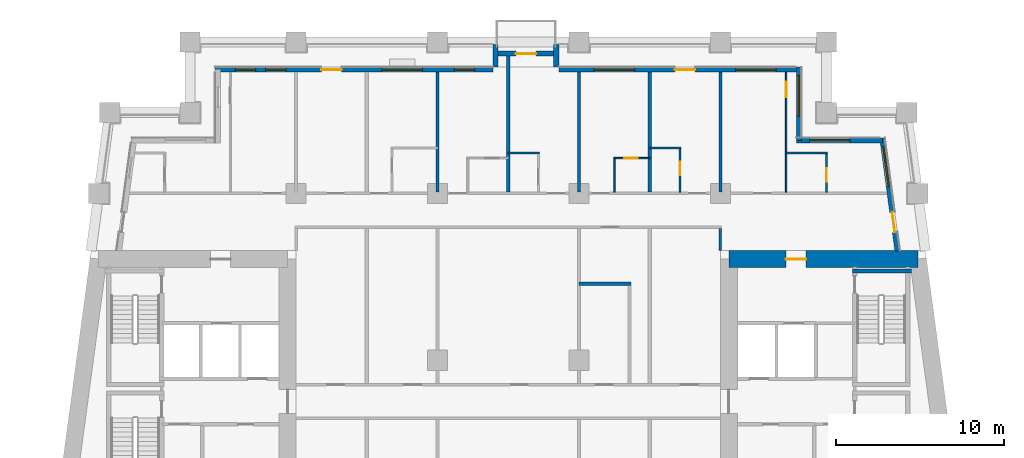
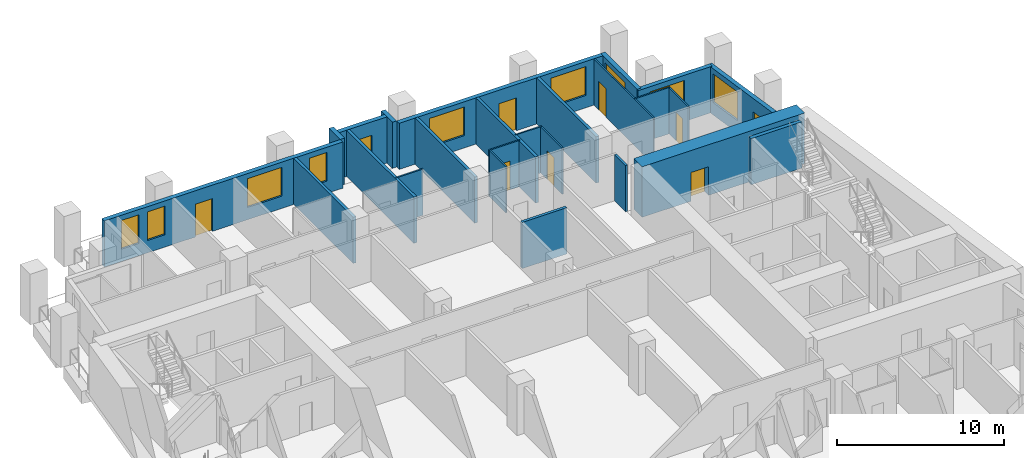
# One storey, part 8 of 14: 25 walls, 9 doors, 9 windows, 18 openings.
"""IFC4 building model written with IfcOpenShell, lengths in metres."""

from ifc_helpers import new_model, si_unit, direction, frame, frame_2d, origin, place, context, subcontext, project, spatial, rectangle, extrude, material, layer, layer_set, type_object, element, fill, save


model = new_model("IFC4")

# Units and contexts
model_context = context("Model", 3, precision=1e-05, world=origin(), true_north=direction((0.0, 1.0)))
body_context = subcontext(model_context, "Body", "Model", "MODEL_VIEW")
ifc_project = project(units=[si_unit("LENGTHUNIT", "METRE"), si_unit("AREAUNIT", "SQUARE_METRE"), si_unit("VOLUMEUNIT", "CUBIC_METRE"), si_unit("PLANEANGLEUNIT", "RADIAN"), si_unit("MASSUNIT", "GRAM", prefix="KILO")], contexts=[model_context])

# Site, building, storey
site_placement = place(None, origin())
site = spatial("IfcSite", under=ifc_project, at=site_placement, CompositionType="ELEMENT")
building_placement = place(site_placement, origin())
building = spatial("IfcBuilding", under=site, at=building_placement, Name="Candeia Pilgrim Tower and Theatre", CompositionType="ELEMENT")
storey_placement = place(building_placement, frame((0.0, 0.0, 116.89990234375)))
storey = spatial("IfcBuildingStorey", under=building, at=storey_placement, Name="L27", CompositionType="ELEMENT", Elevation=116.89990234375)

# Wall, opening, door
ifc_material_1 = material(Name="Concrete C70/85", Category="concrete")
ifc_layer_1 = layer(ifc_material_1, 1.0)
ifc_layer_set_1 = layer_set([ifc_layer_1], Name="Core wall 1000 C70/85")
wall_type_1 = type_object("IfcWallType", Name="Core wall 1000 C70/85", PredefinedType="SHEAR", material=ifc_layer_set_1)
wall_1_placement = place(storey_placement, frame((126.5, 131.89990234375, 0.0), z_axis=(0.0, 0.0, 1.0), x_axis=(1.0, 0.0, 0.0)))
wall_1 = element("IfcWall", 1, at=wall_1_placement, inside=storey, type_object=wall_type_1, Name="Core wall E1", PredefinedType="SHEAR", context=body_context, shape_type="SweptSolid", body=[
    extrude(rectangle(XDim=11.23193359375, YDim=1.0, at=frame_2d((5.615966796875, 0.0))), origin(), (0.0, 0.0, 1.0), 3.7001953125),
])
opening_1_placement = place(wall_1_placement, frame((3.386474609375, 0.0, 0.0)))
opening_1 = element("IfcOpeningElement", 2, at=opening_1_placement, cuts=wall_1, Name="Opening L27-D070", PredefinedType="OPENING", context=body_context, shape_type="SweptSolid", body=[
    extrude(rectangle(XDim=1.199951171875, YDim=2.10009765625, at=frame_2d((0.60009765625, 1.050048828125))), frame((0.0, 0.510009765625, 0.0), z_axis=(0.0, -1.0, 0.0), x_axis=(1.0, 0.0, 0.0)), (0.0, 0.0, 1.0), 1.02001953125),
])
ifc_material_2 = material(Name="Steel fire door set", Category="steel")
door_type_1 = type_object("IfcDoorType", Name="D-1200-FD60", OperationType="NOTDEFINED", PredefinedType="DOOR", material=ifc_material_2)
door_1_placement = place(opening_1_placement, origin())
door_1 = element("IfcDoor", 3, at=door_1_placement, inside=storey, type_object=door_type_1, Name="Door L27-D070", OperationType="SINGLE_SWING_LEFT", OverallHeight=2.10009765625, OverallWidth=1.199951171875, PredefinedType="DOOR", context=body_context, shape_type="SweptSolid", body=[
    extrude(rectangle(XDim=1.199951171875, YDim=2.10009765625, at=frame_2d((0.60009765625, 1.050048828125))), frame((0.0, 0.02490234375, 0.0), z_axis=(0.0, -1.0, 0.0), x_axis=(1.0, 0.0, 0.0)), (0.0, 0.0, 1.0), 0.050048828125),
])
fill(opening_1, door_1)

# Wall, openings, door, window
ifc_material_3 = material(Name="Ceramic block masonry", Category="masonry")
ifc_layer_2 = layer(ifc_material_3, 0.300048828125)
ifc_layer_set_2 = layer_set([ifc_layer_2], Name="EW1 glazing-line wall 300")
wall_type_2 = type_object("IfcWallType", Name="EW1 glazing-line wall 300", PredefinedType="SOLIDWALL", material=ifc_layer_set_2)
wall_2_placement = place(storey_placement, frame((136.50439453125, 132.39990234375, 0.0), z_axis=(0.0, 0.0, 1.0), x_axis=(-0.133399697462, 0.99106231929, 0.0)))
wall_2 = element("IfcWall", 4, at=wall_2_placement, inside=storey, type_object=wall_type_2, Name="External wall L27-3.1", PredefinedType="SOLIDWALL", context=body_context, shape_type="SweptSolid", body=[
    extrude(rectangle(XDim=6.740478515625, YDim=0.300048828125, at=frame_2d((3.3701171875, 0.0))), origin(), (0.0, 0.0, 1.0), 3.380126953125),
])
opening_2_placement = place(wall_2_placement, frame((1.115234375, 0.0, 0.0)))
opening_2 = element("IfcOpeningElement", 5, at=opening_2_placement, cuts=wall_2, Name="Opening L27-ED274", PredefinedType="OPENING", context=body_context, shape_type="SweptSolid", body=[
    extrude(rectangle(XDim=1.199951171875, YDim=2.39990234375, at=frame_2d((0.60009765625, 1.199951171875))), frame((0.0, 0.16015625, 0.0), z_axis=(0.0, -1.0, 0.0), x_axis=(1.0, 0.0, 0.0)), (0.0, 0.0, 1.0), 0.320068359375),
])
opening_3_placement = place(wall_2_placement, frame((3.83544921875, 0.0, 0.89990234375)))
opening_3 = element("IfcOpeningElement", 6, at=opening_3_placement, cuts=wall_2, Name="Opening W-A", PredefinedType="OPENING", context=body_context, shape_type="SweptSolid", body=[
    extrude(rectangle(XDim=2.39990234375, YDim=2.10009765625, at=frame_2d((1.199951171875, 1.050048828125))), frame((0.0, 0.16015625, 0.0), z_axis=(0.0, -1.0, 0.0), x_axis=(1.0, 0.0, 0.0)), (0.0, 0.0, 1.0), 0.320068359375),
])
ifc_material_4 = material(Name="Aluminium framed glazed door", Category="aluminium")
door_type_2 = type_object("IfcDoorType", Name="Loggia door 1200x2400", OperationType="DOUBLE_DOOR_SINGLE_SWING", PredefinedType="DOOR", material=ifc_material_4)
door_2_placement = place(opening_2_placement, origin())
door_2 = element("IfcDoor", 7, at=door_2_placement, inside=storey, type_object=door_type_2, Name="Loggia door L27-ED274", OperationType="DOUBLE_DOOR_SINGLE_SWING", OverallHeight=2.39990234375, OverallWidth=1.199951171875, PredefinedType="DOOR", context=body_context, shape_type="SweptSolid", body=[
    extrude(rectangle(XDim=1.199951171875, YDim=2.39990234375, at=frame_2d((0.60009765625, 1.199951171875))), frame((0.0, 0.02490234375, 0.0), z_axis=(0.0, -1.0, 0.0), x_axis=(1.0, 0.0, 0.0)), (0.0, 0.0, 1.0), 0.050048828125),
])
fill(opening_2, door_2)
ifc_material_5 = material(Name="Aluminium framed double glazing", Category="aluminium")
window_type_1 = type_object("IfcWindowType", Name="W-A window 2400x2100", PartitioningType="DOUBLE_PANEL_VERTICAL", PredefinedType="WINDOW", material=ifc_material_5)
window_1_placement = place(opening_3_placement, origin())
window_1 = element("IfcWindow", 8, at=window_1_placement, inside=storey, type_object=window_type_1, Name="Window W-A L27", OverallHeight=2.10009765625, OverallWidth=2.39990234375, PartitioningType="SINGLE_PANEL", PredefinedType="WINDOW", context=body_context, shape_type="SweptSolid", body=[
    extrude(rectangle(XDim=2.39990234375, YDim=2.10009765625, at=frame_2d((1.199951171875, 1.050048828125))), frame((0.0, 0.030029296875, 0.0), z_axis=(0.0, -1.0, 0.0), x_axis=(1.0, 0.0, 0.0)), (0.0, 0.0, 1.0), 0.06005859375),
])
fill(opening_3, window_1)

# Wall, opening, window
wall_3_placement = place(storey_placement, frame((135.62255859375, 138.949951171875, 0.0), z_axis=(0.0, 0.0, 1.0), x_axis=(-1.0, 0.0, 0.0)))
wall_3 = element("IfcWall", 9, at=wall_3_placement, inside=storey, type_object=wall_type_2, Name="External wall L27-4.0", PredefinedType="SOLIDWALL", context=body_context, shape_type="SweptSolid", body=[
    extrude(rectangle(XDim=5.12255859375, YDim=0.300048828125, at=frame_2d((2.561279296875, 0.0))), origin(), (0.0, 0.0, 1.0), 3.380126953125),
])
opening_4_placement = place(wall_3_placement, frame((1.922607421875, 0.0, 0.89990234375)))
opening_4 = element("IfcOpeningElement", 10, at=opening_4_placement, cuts=wall_3, Name="Opening W-A", PredefinedType="OPENING", context=body_context, shape_type="SweptSolid", body=[
    extrude(rectangle(XDim=2.39990234375, YDim=2.10009765625, at=frame_2d((1.199951171875, 1.050048828125))), frame((0.0, 0.16015625, 0.0), z_axis=(0.0, -1.0, 0.0), x_axis=(1.0, 0.0, 0.0)), (0.0, 0.0, 1.0), 0.320068359375),
])
window_2_placement = place(opening_4_placement, origin())
window_2 = element("IfcWindow", 11, at=window_2_placement, inside=storey, type_object=window_type_1, Name="Window W-A L27", OverallHeight=2.10009765625, OverallWidth=2.39990234375, PartitioningType="SINGLE_PANEL", PredefinedType="WINDOW", context=body_context, shape_type="SweptSolid", body=[
    extrude(rectangle(XDim=2.39990234375, YDim=2.10009765625, at=frame_2d((1.199951171875, 1.050048828125))), frame((0.0, 0.030029296875, 0.0), z_axis=(0.0, -1.0, 0.0), x_axis=(1.0, 0.0, 0.0)), (0.0, 0.0, 1.0), 0.06005859375),
])
fill(opening_4, window_2)

wall_4_placement = place(storey_placement, frame((130.64990234375, 138.949951171875, 0.0), z_axis=(0.0, 0.0, 1.0), x_axis=(0.0, 1.0, 0.0)))
wall_4 = element("IfcWall", 12, at=wall_4_placement, inside=storey, type_object=wall_type_2, Name="External wall L27-5.0", PredefinedType="SOLIDWALL", context=body_context, shape_type="SweptSolid", body=[
    extrude(rectangle(XDim=4.35009765625, YDim=0.300048828125, at=frame_2d((2.175048828125, 0.0))), origin(), (0.0, 0.0, 1.0), 3.380126953125),
])
opening_5_placement = place(wall_4_placement, frame((1.449951171875, 0.0, 0.89990234375)))
opening_5 = element("IfcOpeningElement", 13, at=opening_5_placement, cuts=wall_4, Name="Opening W-A", PredefinedType="OPENING", context=body_context, shape_type="SweptSolid", body=[
    extrude(rectangle(XDim=2.39990234375, YDim=2.10009765625, at=frame_2d((1.199951171875, 1.050048828125))), frame((0.0, 0.16015625, 0.0), z_axis=(0.0, -1.0, 0.0), x_axis=(1.0, 0.0, 0.0)), (0.0, 0.0, 1.0), 0.320068359375),
])
window_3_placement = place(opening_5_placement, origin())
window_3 = element("IfcWindow", 14, at=window_3_placement, inside=storey, type_object=window_type_1, Name="Window W-A L27", OverallHeight=2.10009765625, OverallWidth=2.39990234375, PartitioningType="SINGLE_PANEL", PredefinedType="WINDOW", context=body_context, shape_type="SweptSolid", body=[
    extrude(rectangle(XDim=2.39990234375, YDim=2.10009765625, at=frame_2d((1.199951171875, 1.050048828125))), frame((0.0, 0.030029296875, 0.0), z_axis=(0.0, -1.0, 0.0), x_axis=(1.0, 0.0, 0.0)), (0.0, 0.0, 1.0), 0.06005859375),
])
fill(opening_5, window_3)

# Wall, openings, door, windows
wall_5_placement = place(storey_placement, frame((130.64990234375, 143.14990234375, 0.0), z_axis=(0.0, 0.0, 1.0), x_axis=(-1.0, 0.0, 0.0)))
wall_5 = element("IfcWall", 15, at=wall_5_placement, inside=storey, type_object=wall_type_2, Name="External wall L27-6.0", PredefinedType="SOLIDWALL", context=body_context, shape_type="SweptSolid", body=[
    extrude(rectangle(XDim=14.25, YDim=0.300048828125, at=frame_2d((7.125, 0.0))), origin(), (0.0, 0.0, 1.0), 3.380126953125),
])
opening_6_placement = place(wall_5_placement, frame((1.35009765625, 0.0, 0.89990234375)))
opening_6 = element("IfcOpeningElement", 16, at=opening_6_placement, cuts=wall_5, Name="Opening W-A", PredefinedType="OPENING", context=body_context, shape_type="SweptSolid", body=[
    extrude(rectangle(XDim=2.39990234375, YDim=2.10009765625, at=frame_2d((1.199951171875, 1.050048828125))), frame((0.0, 0.16015625, 0.0), z_axis=(0.0, -1.0, 0.0), x_axis=(1.0, 0.0, 0.0)), (0.0, 0.0, 1.0), 0.320068359375),
])
opening_7_placement = place(wall_5_placement, frame((6.14990234375, 0.0, 0.0)))
opening_7 = element("IfcOpeningElement", 17, at=opening_7_placement, cuts=wall_5, Name="Opening L27-ED275", PredefinedType="OPENING", context=body_context, shape_type="SweptSolid", body=[
    extrude(rectangle(XDim=1.199951171875, YDim=2.39990234375, at=frame_2d((0.60009765625, 1.199951171875))), frame((0.0, 0.16015625, 0.0), z_axis=(0.0, -1.0, 0.0), x_axis=(1.0, 0.0, 0.0)), (0.0, 0.0, 1.0), 0.320068359375),
])
opening_8_placement = place(wall_5_placement, frame((9.75, 0.0, 0.89990234375)))
opening_8 = element("IfcOpeningElement", 18, at=opening_8_placement, cuts=wall_5, Name="Opening W-A", PredefinedType="OPENING", context=body_context, shape_type="SweptSolid", body=[
    extrude(rectangle(XDim=2.39990234375, YDim=2.10009765625, at=frame_2d((1.199951171875, 1.050048828125))), frame((0.0, 0.16015625, 0.0), z_axis=(0.0, -1.0, 0.0), x_axis=(1.0, 0.0, 0.0)), (0.0, 0.0, 1.0), 0.320068359375),
])
door_3_placement = place(opening_7_placement, origin())
door_3 = element("IfcDoor", 19, at=door_3_placement, inside=storey, type_object=door_type_2, Name="Loggia door L27-ED275", OperationType="DOUBLE_DOOR_SINGLE_SWING", OverallHeight=2.39990234375, OverallWidth=1.199951171875, PredefinedType="DOOR", context=body_context, shape_type="SweptSolid", body=[
    extrude(rectangle(XDim=1.199951171875, YDim=2.39990234375, at=frame_2d((0.60009765625, 1.199951171875))), frame((0.0, 0.02490234375, 0.0), z_axis=(0.0, -1.0, 0.0), x_axis=(1.0, 0.0, 0.0)), (0.0, 0.0, 1.0), 0.050048828125),
])
fill(opening_7, door_3)
window_4_placement = place(opening_6_placement, origin())
window_4 = element("IfcWindow", 20, at=window_4_placement, inside=storey, type_object=window_type_1, Name="Window W-A L27", OverallHeight=2.10009765625, OverallWidth=2.39990234375, PartitioningType="SINGLE_PANEL", PredefinedType="WINDOW", context=body_context, shape_type="SweptSolid", body=[
    extrude(rectangle(XDim=2.39990234375, YDim=2.10009765625, at=frame_2d((1.199951171875, 1.050048828125))), frame((0.0, 0.030029296875, 0.0), z_axis=(0.0, -1.0, 0.0), x_axis=(1.0, 0.0, 0.0)), (0.0, 0.0, 1.0), 0.06005859375),
])
fill(opening_6, window_4)
window_5_placement = place(opening_8_placement, origin())
window_5 = element("IfcWindow", 21, at=window_5_placement, inside=storey, type_object=window_type_1, Name="Window W-A L27", OverallHeight=2.10009765625, OverallWidth=2.39990234375, PartitioningType="SINGLE_PANEL", PredefinedType="WINDOW", context=body_context, shape_type="SweptSolid", body=[
    extrude(rectangle(XDim=2.39990234375, YDim=2.10009765625, at=frame_2d((1.199951171875, 1.050048828125))), frame((0.0, 0.030029296875, 0.0), z_axis=(0.0, -1.0, 0.0), x_axis=(1.0, 0.0, 0.0)), (0.0, 0.0, 1.0), 0.06005859375),
])
fill(opening_8, window_5)

wall_6_placement = place(storey_placement, frame((112.5, 143.14990234375, 0.0), z_axis=(0.0, 0.0, 1.0), x_axis=(-1.0, 0.0, 0.0)))
wall_6 = element("IfcWall", 22, at=wall_6_placement, inside=storey, type_object=wall_type_2, Name="External wall L27-6.1", PredefinedType="SOLIDWALL", context=body_context, shape_type="SweptSolid", body=[
    extrude(rectangle(XDim=16.5, YDim=0.300048828125, at=frame_2d((8.25, 0.0))), origin(), (0.0, 0.0, 1.0), 3.380126953125),
])
opening_9_placement = place(wall_6_placement, frame((1.10009765625, 0.0, 0.89990234375)))
opening_9 = element("IfcOpeningElement", 23, at=opening_9_placement, cuts=wall_6, Name="Opening W-B", PredefinedType="OPENING", context=body_context, shape_type="SweptSolid", body=[
    extrude(rectangle(XDim=1.199951171875, YDim=2.10009765625, at=frame_2d((0.60009765625, 1.050048828125))), frame((0.0, 0.16015625, 0.0), z_axis=(0.0, -1.0, 0.0), x_axis=(1.0, 0.0, 0.0)), (0.0, 0.0, 1.0), 0.320068359375),
])
opening_10_placement = place(wall_6_placement, frame((4.199951171875, 0.0, 0.89990234375)))
opening_10 = element("IfcOpeningElement", 24, at=opening_10_placement, cuts=wall_6, Name="Opening W-A", PredefinedType="OPENING", context=body_context, shape_type="SweptSolid", body=[
    extrude(rectangle(XDim=2.39990234375, YDim=2.10009765625, at=frame_2d((1.199951171875, 1.050048828125))), frame((0.0, 0.16015625, 0.0), z_axis=(0.0, -1.0, 0.0), x_axis=(1.0, 0.0, 0.0)), (0.0, 0.0, 1.0), 0.320068359375),
])
opening_11_placement = place(wall_6_placement, frame((9.0, 0.0, 0.0)))
opening_11 = element("IfcOpeningElement", 25, at=opening_11_placement, cuts=wall_6, Name="Opening L27-ED276", PredefinedType="OPENING", context=body_context, shape_type="SweptSolid", body=[
    extrude(rectangle(XDim=1.199951171875, YDim=2.39990234375, at=frame_2d((0.60009765625, 1.199951171875))), frame((0.0, 0.16015625, 0.0), z_axis=(0.0, -1.0, 0.0), x_axis=(1.0, 0.0, 0.0)), (0.0, 0.0, 1.0), 0.320068359375),
])
opening_12_placement = place(wall_6_placement, frame((12.300048828125, 0.0, 0.89990234375)))
opening_12 = element("IfcOpeningElement", 26, at=opening_12_placement, cuts=wall_6, Name="Opening W-B", PredefinedType="OPENING", context=body_context, shape_type="SweptSolid", body=[
    extrude(rectangle(XDim=1.199951171875, YDim=2.10009765625, at=frame_2d((0.60009765625, 1.050048828125))), frame((0.0, 0.16015625, 0.0), z_axis=(0.0, -1.0, 0.0), x_axis=(1.0, 0.0, 0.0)), (0.0, 0.0, 1.0), 0.320068359375),
])
opening_13_placement = place(wall_6_placement, frame((14.10009765625, 0.0, 0.89990234375)))
opening_13 = element("IfcOpeningElement", 27, at=opening_13_placement, cuts=wall_6, Name="Opening W-B", PredefinedType="OPENING", context=body_context, shape_type="SweptSolid", body=[
    extrude(rectangle(XDim=1.199951171875, YDim=2.10009765625, at=frame_2d((0.60009765625, 1.050048828125))), frame((0.0, 0.16015625, 0.0), z_axis=(0.0, -1.0, 0.0), x_axis=(1.0, 0.0, 0.0)), (0.0, 0.0, 1.0), 0.320068359375),
])
door_4_placement = place(opening_11_placement, origin())
door_4 = element("IfcDoor", 28, at=door_4_placement, inside=storey, type_object=door_type_2, Name="Loggia door L27-ED276", OperationType="DOUBLE_DOOR_SINGLE_SWING", OverallHeight=2.39990234375, OverallWidth=1.199951171875, PredefinedType="DOOR", context=body_context, shape_type="SweptSolid", body=[
    extrude(rectangle(XDim=1.199951171875, YDim=2.39990234375, at=frame_2d((0.60009765625, 1.199951171875))), frame((0.0, 0.02490234375, 0.0), z_axis=(0.0, -1.0, 0.0), x_axis=(1.0, 0.0, 0.0)), (0.0, 0.0, 1.0), 0.050048828125),
])
fill(opening_11, door_4)
window_6_placement = place(opening_10_placement, origin())
window_6 = element("IfcWindow", 29, at=window_6_placement, inside=storey, type_object=window_type_1, Name="Window W-A L27", OverallHeight=2.10009765625, OverallWidth=2.39990234375, PartitioningType="SINGLE_PANEL", PredefinedType="WINDOW", context=body_context, shape_type="SweptSolid", body=[
    extrude(rectangle(XDim=2.39990234375, YDim=2.10009765625, at=frame_2d((1.199951171875, 1.050048828125))), frame((0.0, 0.030029296875, 0.0), z_axis=(0.0, -1.0, 0.0), x_axis=(1.0, 0.0, 0.0)), (0.0, 0.0, 1.0), 0.06005859375),
])
fill(opening_10, window_6)
window_type_2 = type_object("IfcWindowType", Name="W-B window 1200x2100", PartitioningType="SINGLE_PANEL", PredefinedType="WINDOW", material=ifc_material_5)
window_7_placement = place(opening_9_placement, origin())
window_7 = element("IfcWindow", 30, at=window_7_placement, inside=storey, type_object=window_type_2, Name="Window W-B L27", OverallHeight=2.10009765625, OverallWidth=1.199951171875, PartitioningType="SINGLE_PANEL", PredefinedType="WINDOW", context=body_context, shape_type="SweptSolid", body=[
    extrude(rectangle(XDim=1.199951171875, YDim=2.10009765625, at=frame_2d((0.60009765625, 1.050048828125))), frame((0.0, 0.030029296875, 0.0), z_axis=(0.0, -1.0, 0.0), x_axis=(1.0, 0.0, 0.0)), (0.0, 0.0, 1.0), 0.06005859375),
])
fill(opening_9, window_7)
window_8_placement = place(opening_12_placement, origin())
window_8 = element("IfcWindow", 31, at=window_8_placement, inside=storey, type_object=window_type_2, Name="Window W-B L27", OverallHeight=2.10009765625, OverallWidth=1.199951171875, PartitioningType="SINGLE_PANEL", PredefinedType="WINDOW", context=body_context, shape_type="SweptSolid", body=[
    extrude(rectangle(XDim=1.199951171875, YDim=2.10009765625, at=frame_2d((0.60009765625, 1.050048828125))), frame((0.0, 0.030029296875, 0.0), z_axis=(0.0, -1.0, 0.0), x_axis=(1.0, 0.0, 0.0)), (0.0, 0.0, 1.0), 0.06005859375),
])
fill(opening_12, window_8)
window_9_placement = place(opening_13_placement, origin())
window_9 = element("IfcWindow", 32, at=window_9_placement, inside=storey, type_object=window_type_2, Name="Window W-B L27", OverallHeight=2.10009765625, OverallWidth=1.199951171875, PartitioningType="SINGLE_PANEL", PredefinedType="WINDOW", context=body_context, shape_type="SweptSolid", body=[
    extrude(rectangle(XDim=1.199951171875, YDim=2.10009765625, at=frame_2d((0.60009765625, 1.050048828125))), frame((0.0, 0.030029296875, 0.0), z_axis=(0.0, -1.0, 0.0), x_axis=(1.0, 0.0, 0.0)), (0.0, 0.0, 1.0), 0.06005859375),
])
fill(opening_13, window_9)

# Walls
ifc_layer_3 = layer(ifc_material_3, 0.300048828125)
ifc_layer_set_3 = layer_set([ifc_layer_3], Name="EW2 entrance infill wall 300")
wall_type_3 = type_object("IfcWallType", Name="EW2 entrance infill wall 300", PredefinedType="SOLIDWALL", material=ifc_layer_set_3)
for number, where, z_axis, x_axis, name in (
    (33, (116.25, 143.300048828125, 0.0), (0.0, 0.0, 1.0), (0.0, 1.0, 0.0), "Alcove wall L27"),
    (34, (112.64990234375, 143.300048828125, 0.0), (0.0, 0.0, 1.0), (0.0, 1.0, 0.0), "Alcove wall L27"),
):
    element("IfcWall", number, at=place(storey_placement, frame(where, z_axis=z_axis, x_axis=x_axis)), inside=storey, type_object=wall_type_3, Name=name, PredefinedType="SOLIDWALL", context=body_context, shape_type="SweptSolid", body=[
        extrude(rectangle(XDim=1.349853515625, YDim=0.300048828125, at=frame_2d((0.6748046875, 0.0))), origin(), (0.0, 0.0, 1.0), 3.380126953125),
    ])

# Wall, opening, door
wall_7_placement = place(storey_placement, frame((116.39990234375, 144.10009765625, 0.0), z_axis=(0.0, 0.0, 1.0), x_axis=(-1.0, 0.0, 0.0)))
wall_7 = element("IfcWall", 35, at=wall_7_placement, inside=storey, type_object=wall_type_3, Name="Alcove wall L27", PredefinedType="SOLIDWALL", context=body_context, shape_type="SweptSolid", body=[
    extrude(rectangle(XDim=3.89990234375, YDim=0.300048828125, at=frame_2d((1.949951171875, 0.0))), origin(), (0.0, 0.0, 1.0), 3.380126953125),
])
opening_14_placement = place(wall_7_placement, frame((1.35009765625, 0.0, 0.0)))
opening_14 = element("IfcOpeningElement", 36, at=opening_14_placement, cuts=wall_7, Name="Opening L27-ED277", PredefinedType="OPENING", context=body_context, shape_type="SweptSolid", body=[
    extrude(rectangle(XDim=1.199951171875, YDim=2.39990234375, at=frame_2d((0.60009765625, 1.199951171875))), frame((0.0, 0.16015625, 0.0), z_axis=(0.0, -1.0, 0.0), x_axis=(1.0, 0.0, 0.0)), (0.0, 0.0, 1.0), 0.320068359375),
])
door_5_placement = place(opening_14_placement, origin())
door_5 = element("IfcDoor", 37, at=door_5_placement, inside=storey, type_object=door_type_2, Name="Balcony door L27-ED277", OperationType="DOUBLE_DOOR_SINGLE_SWING", OverallHeight=2.39990234375, OverallWidth=1.199951171875, PredefinedType="DOOR", context=body_context, shape_type="SweptSolid", body=[
    extrude(rectangle(XDim=1.199951171875, YDim=2.39990234375, at=frame_2d((0.60009765625, 1.199951171875))), frame((0.0, 0.02490234375, 0.0), z_axis=(0.0, -1.0, 0.0), x_axis=(1.0, 0.0, 0.0)), (0.0, 0.0, 1.0), 0.050048828125),
])
fill(opening_14, door_5)

ifc_material_6 = material(Name="Gypsum board partition on steel studs", Category="steel")
ifc_layer_4 = layer(ifc_material_6, 0.10009765625)
ifc_layer_set_4 = layer_set([ifc_layer_4], Name="PW-100 room partition")
wall_type_4 = type_object("IfcWallType", Name="PW-100 room partition", PredefinedType="PARTITIONING", material=ifc_layer_set_4)
wall_8_placement = place(storey_placement, frame((119.64990234375, 137.89990234375, 0.0), z_axis=(0.0, 0.0, 1.0), x_axis=(1.0, 0.0, 0.0)))
wall_8 = element("IfcWall", 38, at=wall_8_placement, inside=storey, type_object=wall_type_4, Name="Room partition L27-048", PredefinedType="PARTITIONING", context=body_context, shape_type="SweptSolid", body=[
    extrude(rectangle(XDim=2.150146484375, YDim=0.10009765625, at=frame_2d((1.0751953125, 0.0))), origin(), (0.0, 0.0, 1.0), 3.380126953125),
])
opening_15_placement = place(wall_8_placement, frame((0.639892578125, 0.0, 0.0)))
opening_15 = element("IfcOpeningElement", 39, at=opening_15_placement, cuts=wall_8, Name="Opening L27-D049", PredefinedType="OPENING", context=body_context, shape_type="SweptSolid", body=[
    extrude(rectangle(XDim=0.800048828125, YDim=2.10009765625, at=frame_2d((0.39990234375, 1.050048828125))), frame((0.0, 0.06005859375, 0.0), z_axis=(0.0, -1.0, 0.0), x_axis=(1.0, 0.0, 0.0)), (0.0, 0.0, 1.0), 0.1201171875),
])
ifc_material_7 = material(Name="Timber door leaf", Category="wood")
door_type_3 = type_object("IfcDoorType", Name="D-800", OperationType="NOTDEFINED", PredefinedType="DOOR", material=ifc_material_7)
door_6_placement = place(opening_15_placement, origin())
door_6 = element("IfcDoor", 40, at=door_6_placement, inside=storey, type_object=door_type_3, Name="Door L27-D049", OperationType="SINGLE_SWING_RIGHT", OverallHeight=2.10009765625, OverallWidth=0.800048828125, PredefinedType="DOOR", context=body_context, shape_type="SweptSolid", body=[
    extrude(rectangle(XDim=0.800048828125, YDim=2.10009765625, at=frame_2d((0.39990234375, 1.050048828125))), frame((0.0, 0.02490234375, 0.0), z_axis=(0.0, -1.0, 0.0), x_axis=(1.0, 0.0, 0.0)), (0.0, 0.0, 1.0), 0.050048828125),
])
fill(opening_15, door_6)

# Walls
wall_9_placement = place(storey_placement, frame((113.39990234375, 138.199951171875, 0.0), z_axis=(0.0, 0.0, 1.0), x_axis=(1.0, 0.0, 0.0)))
element("IfcWall", 41, at=wall_9_placement, inside=storey, type_object=wall_type_4, Name="Room partition L27-050", PredefinedType="PARTITIONING", context=body_context, shape_type="SweptSolid", body=[
    extrude(rectangle(XDim=1.85009765625, YDim=0.10009765625, at=frame_2d((0.925048828125, 0.0))), origin(), (0.0, 0.0, 1.0), 3.380126953125),
])
wall_10_placement = place(storey_placement, frame((129.89990234375, 138.199951171875, 0.0), z_axis=(0.0, 0.0, 1.0), x_axis=(1.0, 0.0, 0.0)))
element("IfcWall", 42, at=wall_10_placement, inside=storey, type_object=wall_type_4, Name="Room partition L27-051", PredefinedType="PARTITIONING", context=body_context, shape_type="SweptSolid", body=[
    extrude(rectangle(XDim=2.4501953125, YDim=0.10009765625, at=frame_2d((1.22509765625, 0.0))), origin(), (0.0, 0.0, 1.0), 3.380126953125),
])
wall_11_placement = place(storey_placement, frame((121.800048828125, 138.5, 0.0), z_axis=(0.0, 0.0, 1.0), x_axis=(1.0, 0.0, 0.0)))
element("IfcWall", 43, at=wall_11_placement, inside=storey, type_object=wall_type_4, Name="Room partition L27-053", PredefinedType="PARTITIONING", context=body_context, shape_type="SweptSolid", body=[
    extrude(rectangle(XDim=1.849853515625, YDim=0.10009765625, at=frame_2d((0.9248046875, 0.0))), origin(), (0.0, 0.0, 1.0), 3.380126953125),
])
wall_12_placement = place(storey_placement, frame((119.699951171875, 135.875, 0.0), z_axis=(0.0, 0.0, 1.0), x_axis=(0.0, 1.0, 0.0)))
element("IfcWall", 44, at=wall_12_placement, inside=storey, type_object=wall_type_4, Name="Room partition L27-102", PredefinedType="PARTITIONING", context=body_context, shape_type="SweptSolid", body=[
    extrude(rectangle(XDim=1.97509765625, YDim=0.10009765625, at=frame_2d((0.987548828125, 0.0))), origin(), (0.0, 0.0, 1.0), 3.380126953125),
])

# Wall, opening, door
wall_13_placement = place(storey_placement, frame((123.60009765625, 135.875, 0.0), z_axis=(0.0, 0.0, 1.0), x_axis=(0.0, 1.0, 0.0)))
wall_13 = element("IfcWall", 45, at=wall_13_placement, inside=storey, type_object=wall_type_4, Name="Room partition L27-110", PredefinedType="PARTITIONING", context=body_context, shape_type="SweptSolid", body=[
    extrude(rectangle(XDim=2.574951171875, YDim=0.10009765625, at=frame_2d((1.28759765625, 0.0))), origin(), (0.0, 0.0, 1.0), 3.380126953125),
])
opening_16_placement = place(wall_13_placement, frame((0.9951171875, 0.0, 0.0)))
opening_16 = element("IfcOpeningElement", 46, at=opening_16_placement, cuts=wall_13, Name="Opening L27-D051", PredefinedType="OPENING", context=body_context, shape_type="SweptSolid", body=[
    extrude(rectangle(XDim=0.800048828125, YDim=2.10009765625, at=frame_2d((0.39990234375, 1.050048828125))), frame((0.0, 0.06005859375, 0.0), z_axis=(0.0, -1.0, 0.0), x_axis=(1.0, 0.0, 0.0)), (0.0, 0.0, 1.0), 0.1201171875),
])
door_7_placement = place(opening_16_placement, origin())
door_7 = element("IfcDoor", 47, at=door_7_placement, inside=storey, type_object=door_type_3, Name="Door L27-D051", OperationType="SINGLE_SWING_RIGHT", OverallHeight=2.10009765625, OverallWidth=0.800048828125, PredefinedType="DOOR", context=body_context, shape_type="SweptSolid", body=[
    extrude(rectangle(XDim=0.800048828125, YDim=2.10009765625, at=frame_2d((0.39990234375, 1.050048828125))), frame((0.0, 0.02490234375, 0.0), z_axis=(0.0, -1.0, 0.0), x_axis=(1.0, 0.0, 0.0)), (0.0, 0.0, 1.0), 0.050048828125),
])
fill(opening_16, door_7)

wall_14_placement = place(storey_placement, frame((129.89990234375, 135.875, 0.0), z_axis=(0.0, 0.0, 1.0), x_axis=(0.0, 1.0, 0.0)))
wall_14 = element("IfcWall", 48, at=wall_14_placement, inside=storey, type_object=wall_type_4, Name="Room partition L27-119", PredefinedType="PARTITIONING", context=body_context, shape_type="SweptSolid", body=[
    extrude(rectangle(XDim=7.135009765625, YDim=0.10009765625, at=frame_2d((3.5673828125, 0.0))), origin(), (0.0, 0.0, 1.0), 3.380126953125),
])
opening_17_placement = place(wall_14_placement, frame((5.64990234375, 0.0, 0.0)))
opening_17 = element("IfcOpeningElement", 49, at=opening_17_placement, cuts=wall_14, Name="Opening L27-D053", PredefinedType="OPENING", context=body_context, shape_type="SweptSolid", body=[
    extrude(rectangle(XDim=0.89990234375, YDim=2.10009765625, at=frame_2d((0.449951171875, 1.050048828125))), frame((0.0, 0.06005859375, 0.0), z_axis=(0.0, -1.0, 0.0), x_axis=(1.0, 0.0, 0.0)), (0.0, 0.0, 1.0), 0.1201171875),
])
door_type_4 = type_object("IfcDoorType", Name="D-900", OperationType="NOTDEFINED", PredefinedType="DOOR", material=ifc_material_7)
door_8_placement = place(opening_17_placement, origin())
door_8 = element("IfcDoor", 50, at=door_8_placement, inside=storey, type_object=door_type_4, Name="Door L27-D053", OperationType="SINGLE_SWING_RIGHT", OverallHeight=2.10009765625, OverallWidth=0.89990234375, PredefinedType="DOOR", context=body_context, shape_type="SweptSolid", body=[
    extrude(rectangle(XDim=0.89990234375, YDim=2.10009765625, at=frame_2d((0.449951171875, 1.050048828125))), frame((0.0, 0.02490234375, 0.0), z_axis=(0.0, -1.0, 0.0), x_axis=(1.0, 0.0, 0.0)), (0.0, 0.0, 1.0), 0.050048828125),
])
fill(opening_17, door_8)

wall_15_placement = place(storey_placement, frame((132.300048828125, 135.875, 0.0), z_axis=(0.0, 0.0, 1.0), x_axis=(0.0, 1.0, 0.0)))
wall_15 = element("IfcWall", 51, at=wall_15_placement, inside=storey, type_object=wall_type_4, Name="Room partition L27-126", PredefinedType="PARTITIONING", context=body_context, shape_type="SweptSolid", body=[
    extrude(rectangle(XDim=2.27490234375, YDim=0.10009765625, at=frame_2d((1.137451171875, 0.0))), origin(), (0.0, 0.0, 1.0), 3.380126953125),
])
opening_18_placement = place(wall_15_placement, frame((0.635009765625, 0.0, 0.0)))
opening_18 = element("IfcOpeningElement", 52, at=opening_18_placement, cuts=wall_15, Name="Opening L27-D054", PredefinedType="OPENING", context=body_context, shape_type="SweptSolid", body=[
    extrude(rectangle(XDim=0.800048828125, YDim=2.10009765625, at=frame_2d((0.39990234375, 1.050048828125))), frame((0.0, 0.06005859375, 0.0), z_axis=(0.0, -1.0, 0.0), x_axis=(1.0, 0.0, 0.0)), (0.0, 0.0, 1.0), 0.1201171875),
])
door_9_placement = place(opening_18_placement, origin())
door_9 = element("IfcDoor", 53, at=door_9_placement, inside=storey, type_object=door_type_3, Name="Door L27-D054", OperationType="SINGLE_SWING_LEFT", OverallHeight=2.10009765625, OverallWidth=0.800048828125, PredefinedType="DOOR", context=body_context, shape_type="SweptSolid", body=[
    extrude(rectangle(XDim=0.800048828125, YDim=2.10009765625, at=frame_2d((0.39990234375, 1.050048828125))), frame((0.0, 0.02490234375, 0.0), z_axis=(0.0, -1.0, 0.0), x_axis=(1.0, 0.0, 0.0)), (0.0, 0.0, 1.0), 0.050048828125),
])
fill(opening_18, door_9)

# Walls
ifc_layer_5 = layer(ifc_material_6, 0.14990234375)
ifc_layer_set_5 = layer_set([ifc_layer_5], Name="PW-150 unit wall")
wall_type_5 = type_object("IfcWallType", Name="PW-150 unit wall", PredefinedType="PARTITIONING", material=ifc_layer_set_5)
wall_16_placement = place(storey_placement, frame((126.0, 132.39990234375, 0.0), z_axis=(0.0, 0.0, 1.0), x_axis=(0.0, 1.0, 0.0)))
element("IfcWall", 54, at=wall_16_placement, inside=storey, type_object=wall_type_5, Name="Unit wall L27-114", PredefinedType="PARTITIONING", context=body_context, shape_type="SweptSolid", body=[
    extrude(rectangle(XDim=1.3251953125, YDim=0.14990234375, at=frame_2d((0.66259765625, 0.0))), origin(), (0.0, 0.0, 1.0), 3.380126953125),
])
ifc_layer_6 = layer(ifc_material_6, 0.199951171875)
ifc_layer_set_6 = layer_set([ifc_layer_6], Name="PW-200 party wall")
wall_type_6 = type_object("IfcWallType", Name="PW-200 party wall", PredefinedType="PARTITIONING", material=ifc_layer_set_6)
wall_17_placement = place(storey_placement, frame((117.60009765625, 130.449951171875, 0.0), z_axis=(0.0, 0.0, 1.0), x_axis=(1.0, 0.0, 0.0)))
element("IfcWall", 55, at=wall_17_placement, inside=storey, type_object=wall_type_6, Name="Party wall L27-042", PredefinedType="PARTITIONING", context=body_context, shape_type="SweptSolid", body=[
    extrude(rectangle(XDim=3.099853515625, YDim=0.199951171875, at=frame_2d((1.5498046875, 0.0))), origin(), (0.0, 0.0, 1.0), 3.380126953125),
])
wall_18_placement = place(storey_placement, frame((109.199951171875, 135.875, 0.0), z_axis=(0.0, 0.0, 1.0), x_axis=(0.0, 1.0, 0.0)))
element("IfcWall", 56, at=wall_18_placement, inside=storey, type_object=wall_type_6, Name="Party wall L27-091", PredefinedType="PARTITIONING", context=body_context, shape_type="SweptSolid", body=[
    extrude(rectangle(XDim=7.135009765625, YDim=0.199951171875, at=frame_2d((3.5673828125, 0.0))), origin(), (0.0, 0.0, 1.0), 3.380126953125),
])
wall_19_placement = place(storey_placement, frame((113.39990234375, 135.875, 0.0), z_axis=(0.0, 0.0, 1.0), x_axis=(0.0, 1.0, 0.0)))
element("IfcWall", 57, at=wall_19_placement, inside=storey, type_object=wall_type_6, Name="Party wall L27-095", PredefinedType="PARTITIONING", context=body_context, shape_type="SweptSolid", body=[
    extrude(rectangle(XDim=8.0849609375, YDim=0.199951171875, at=frame_2d((4.04248046875, 0.0))), origin(), (0.0, 0.0, 1.0), 3.380126953125),
])
for number, where, z_axis, x_axis, name in (
    (58, (117.60009765625, 135.875, 0.0), (0.0, 0.0, 1.0), (0.0, 1.0, 0.0), "Party wall L27-101"),
    (59, (121.800048828125, 135.875, 0.0), (0.0, 0.0, 1.0), (0.0, 1.0, 0.0), "Party wall L27-108"),
    (60, (126.0, 135.875, 0.0), (0.0, 0.0, 1.0), (0.0, 1.0, 0.0), "Party wall L27-112"),
):
    element("IfcWall", number, at=place(storey_placement, frame(where, z_axis=z_axis, x_axis=x_axis)), inside=storey, type_object=wall_type_6, Name=name, PredefinedType="PARTITIONING", context=body_context, shape_type="SweptSolid", body=[
        extrude(rectangle(XDim=7.135009765625, YDim=0.199951171875, at=frame_2d((3.5673828125, 0.0))), origin(), (0.0, 0.0, 1.0), 3.380126953125),
    ])
ifc_material_8 = material(Name="Concrete C40/50", Category="concrete")
ifc_layer_7 = layer(ifc_material_8, 0.25)
ifc_layer_set_7 = layer_set([ifc_layer_7], Name="SW-250 stair wall")
wall_type_7 = type_object("IfcWallType", Name="SW-250 stair wall", PredefinedType="PARTITIONING", material=ifc_layer_set_7)
wall_20_placement = place(storey_placement, frame((133.847900390625, 131.199951171875, 0.0), z_axis=(0.0, 0.0, 1.0), x_axis=(1.0, 0.0, 0.0)))
element("IfcWall", 61, at=wall_20_placement, inside=storey, type_object=wall_type_7, Name="Stair wall L27-044", PredefinedType="PARTITIONING", context=body_context, shape_type="SweptSolid", body=[
    extrude(rectangle(XDim=3.50390625, YDim=0.25, at=frame_2d((1.751953125, 0.0))), origin(), (0.0, 0.0, 1.0), 3.380126953125),
])

save(model, "model.ifc")
